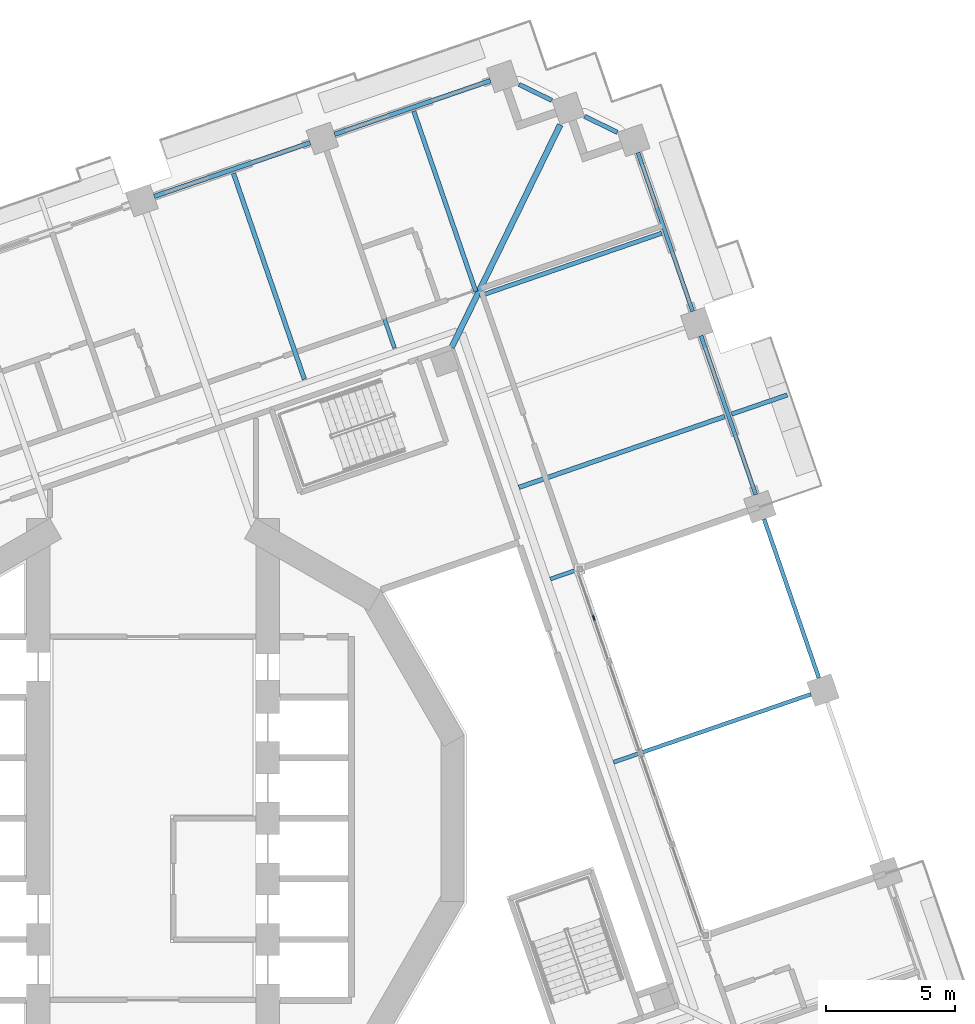
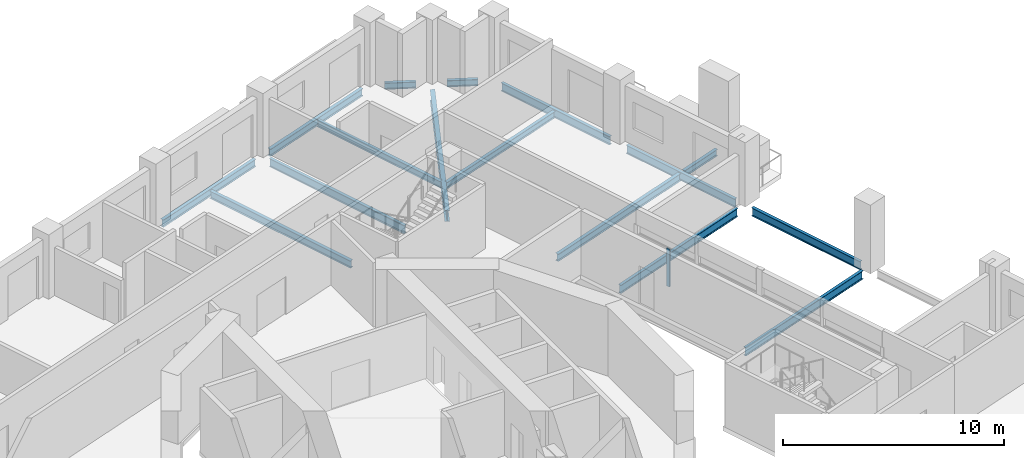
# One storey, part 5 of 21: 16 beams, 1 member, 1 element without a shape of its own.
"""IFC4 building model written with IfcOpenShell, lengths in metres."""

import ifcopenshell
import ifcopenshell.guid

model = None  # the IFC model being written
_history = None  # IfcOwnerHistory: only IFC2X3 demands one
_inside = {}  # id of a spatial element -> (the spatial element, [elements in it])
_under = {}  # id of a project, library or spatial element -> (it, [spatial elements below it])
_declared = {}  # id of a project -> (the project, [libraries it declares])
_typed = {}  # id of a type object -> (the type object, [elements of that type])
_made_of = {}  # id of a material, layer set ... -> (it, [elements and type objects made of it])


def new_model(schema):
    """Start an empty IFC model of exactly this schema.

    Asked for "IFC4X3", IfcOpenShell would pick the latest addendum, in which some entities
    have other attributes; the version numbers below select the first issue.
    IFC2X3 requires an IfcOwnerHistory on every rooted entity: one is made here for all.
    """
    global model, _history
    if schema == "IFC4X3":
        model = ifcopenshell.file(schema_version=(4, 3, 0, 0))
    else:
        model = ifcopenshell.file(schema=schema)
    _inside.clear()
    _under.clear()
    _declared.clear()
    _typed.clear()
    _made_of.clear()
    _history = None
    if model.schema == "IFC2X3":
        org = make("IfcOrganization", Name="unknown")
        user = make(
            "IfcPersonAndOrganization",
            ThePerson=make("IfcPerson", FamilyName="unknown"),
            TheOrganization=org,
        )
        app = make(
            "IfcApplication",
            ApplicationDeveloper=org,
            Version="unknown",
            ApplicationFullName="unknown",
            ApplicationIdentifier="unknown",
        )
        _history = make(
            "IfcOwnerHistory",
            OwningUser=user,
            OwningApplication=app,
            ChangeAction="ADDED",
            CreationDate=0,
        )
    return model


def make(cls, **values):
    """One entity of the class cls with the attributes given. An attribute that is None is left unset."""
    return model.create_entity(
        cls, **{name: value for name, value in values.items() if value is not None}
    )


def rooted(cls, **values):
    """An entity with a GlobalId (a new one), such as an element, a storey or a relation."""
    return make(cls, GlobalId=ifcopenshell.guid.new(), OwnerHistory=_history, **values)


def si_unit(unit_type, name, prefix=None):
    """IfcSIUnit, for example si_unit("LENGTHUNIT", "METRE", prefix="MILLI")."""
    return make("IfcSIUnit", UnitType=unit_type, Prefix=prefix, Name=name)


def assignment(units):
    """IfcUnitAssignment: the units of a project."""
    return None if units is None else make("IfcUnitAssignment", Units=units)


def point(xyz):
    """IfcCartesianPoint."""
    return None if xyz is None else make("IfcCartesianPoint", Coordinates=xyz)


def direction(xyz):
    """IfcDirection."""
    return None if xyz is None else make("IfcDirection", DirectionRatios=xyz)


def frame(location, z_axis=None, x_axis=None):
    """IfcAxis2Placement3D, a coordinate frame: its origin and axes. An axis left out is left unset."""
    return make(
        "IfcAxis2Placement3D",
        Location=point(location),
        Axis=direction(z_axis),
        RefDirection=direction(x_axis),
    )


def frame_2d(location, x_axis=None):
    """IfcAxis2Placement2D, a coordinate frame in the plane: its origin and x axis."""
    return make(
        "IfcAxis2Placement2D", Location=point(location), RefDirection=direction(x_axis)
    )


def origin():
    """The frame at (0, 0, 0) with its axes left unset."""
    return frame((0.0, 0.0, 0.0))


def origin_2d():
    """The frame at (0, 0) in the plane with its x axis left unset."""
    return frame_2d((0.0, 0.0))


def place(relative_to, where):
    """IfcLocalPlacement: puts the frame where relative to a parent placement (None: the world)."""
    return make(
        "IfcLocalPlacement", PlacementRelTo=relative_to, RelativePlacement=where
    )


def context(
    kind, dimensions, precision=None, world=None, true_north=None, identifier=None
):
    """IfcGeometricRepresentationContext, for example the 3D "Model" context."""
    return make(
        "IfcGeometricRepresentationContext",
        ContextIdentifier=identifier,
        ContextType=kind,
        CoordinateSpaceDimension=dimensions,
        Precision=precision,
        WorldCoordinateSystem=world,
        TrueNorth=true_north,
    )


def subcontext(parent, identifier, kind, view, scale=None):
    """IfcGeometricRepresentationSubContext, for example "Body" below "Model"."""
    return make(
        "IfcGeometricRepresentationSubContext",
        ContextIdentifier=identifier,
        ContextType=kind,
        ParentContext=parent,
        TargetScale=scale,
        TargetView=view,
    )


def project(units=None, contexts=None):
    """IfcProject with its units and contexts."""
    return rooted(
        "IfcProject",
        Name="project",
        RepresentationContexts=contexts,
        UnitsInContext=assignment(units),
    )


def spatial(cls, under=None, at=None, **own):
    """A site, building, storey or space (cls), placed at a placement, below another one or the project."""
    s = rooted(cls, ObjectPlacement=at, **own)
    if under is not None:
        _under.setdefault(under.id(), (under, []))[1].append(s)
    return s


def profile(cls, at=None, kind="AREA", **sizes):
    """A parametric profile (cls). Its sizes go by their IFC names, for example OverallWidth=200.0."""
    return make(cls, ProfileType=kind, Position=at, **sizes)


def rectangle(**sizes):
    """IfcRectangleProfileDef."""
    return profile("IfcRectangleProfileDef", **sizes)


def i_section(**sizes):
    """IfcIShapeProfileDef."""
    return profile("IfcIShapeProfileDef", **sizes)


def extrude(swept, where, along, depth):
    """IfcExtrudedAreaSolid: the profile swept, set in the frame where, extruded along a direction by depth."""
    return make(
        "IfcExtrudedAreaSolid",
        SweptArea=swept,
        Position=where,
        ExtrudedDirection=direction(along),
        Depth=depth,
    )


def shape(context_of_items, identifier, shape_type, items):
    """IfcShapeRepresentation: the items that make up one representation, for example the "Body"."""
    return make(
        "IfcShapeRepresentation",
        ContextOfItems=context_of_items,
        RepresentationIdentifier=identifier,
        RepresentationType=shape_type,
        Items=items,
    )


def material(Name=None, Category=None):
    """IfcMaterial."""
    return make("IfcMaterial", Name=Name, Category=Category)


def material_profile(
    of_material, cross_section, Name=None, Category=None, Priority=None
):
    """IfcMaterialProfile: a cross section and its material."""
    return make(
        "IfcMaterialProfile",
        Name=Name,
        Material=of_material,
        Profile=cross_section,
        Priority=Priority,
        Category=Category,
    )


def profile_set(profiles, Name=None, composite=None):
    """IfcMaterialProfileSet."""
    return make(
        "IfcMaterialProfileSet",
        Name=Name,
        MaterialProfiles=profiles,
        CompositeProfile=composite,
    )


def made_of(thing, what):
    """Note that an element or type object is made of a material, layer set ...; save() writes the relation."""
    if what is not None:
        _made_of.setdefault(what.id(), (what, []))[1].append(thing)
    return thing


def type_object(cls, material=None, **own):
    """A type object (cls), such as IfcWallType, which elements share."""
    return made_of(rooted(cls, **own), material)


def element(
    cls,
    number,
    at=None,
    inside=None,
    cuts=None,
    type_object=None,
    material=None,
    context=None,
    identifier="Body",
    shape_type=None,
    held_by="IfcProductDefinitionShape",
    body=None,
    shapes=None,
    **own,
):
    """One element of the class cls, such as IfcWall. Its Tag is "e" and its number.

    at: its placement. inside: the storey or other place that contains it. cuts: it is an
    opening in that element (IfcRelVoidsElement). A single representation is given by context,
    identifier, shape_type and body (its items); several are given by shapes. held_by: the class
    of the entity that holds the representations. save() writes the other relations.
    """
    e = rooted(cls, Tag="e%d" % number, ObjectPlacement=at, **own)
    if body is not None:
        shapes = [shape(context, identifier, shape_type, body)]
    if shapes is not None:
        e.Representation = make(held_by, Representations=shapes)
    if inside is not None:
        _inside.setdefault(inside.id(), (inside, []))[1].append(e)
    if cuts is not None:
        rooted(
            "IfcRelVoidsElement", RelatingBuildingElement=cuts, RelatedOpeningElement=e
        )
    if type_object is not None:
        _typed.setdefault(type_object.id(), (type_object, []))[1].append(e)
    return made_of(e, material)


def aggregate(whole, parts):
    """IfcRelAggregates: a whole, such as a stair, and the parts it consists of."""
    return rooted("IfcRelAggregates", RelatingObject=whole, RelatedObjects=parts)


def save(model, path):
    """Write the relations noted so far, then the file.

    IfcRelAggregates (storeys below a building ...), IfcRelContainedInSpatialStructure (elements
    in a storey), IfcRelDefinesByType, IfcRelAssociatesMaterial and IfcRelDeclares: one each for
    every whole, place, type object, material and project.
    """
    for whole, parts in _under.values():
        aggregate(whole, parts)
    for where, things in _inside.values():
        rooted(
            "IfcRelContainedInSpatialStructure",
            RelatedElements=things,
            RelatingStructure=where,
        )
    for kind, things in _typed.values():
        rooted("IfcRelDefinesByType", RelatedObjects=things, RelatingType=kind)
    for what, things in _made_of.values():
        rooted("IfcRelAssociatesMaterial", RelatedObjects=things, RelatingMaterial=what)
    for by, libraries in _declared.values():
        rooted("IfcRelDeclares", RelatingContext=by, RelatedDefinitions=libraries)
    model.write(path)


model = new_model("IFC4")

# Units and contexts
model_context = context("Model", 3, precision=1e-05, world=origin(), true_north=direction((0.0, 1.0)))
body_context = subcontext(model_context, "Body", "Model", "MODEL_VIEW")
ifc_project = project(units=[si_unit("LENGTHUNIT", "METRE"), si_unit("AREAUNIT", "SQUARE_METRE"), si_unit("VOLUMEUNIT", "CUBIC_METRE"), si_unit("PLANEANGLEUNIT", "RADIAN"), si_unit("MASSUNIT", "GRAM", prefix="KILO")], contexts=[model_context])

# Site, building, storey
site_placement = place(None, origin())
site = spatial("IfcSite", under=ifc_project, at=site_placement, CompositionType="ELEMENT")
building_placement = place(site_placement, origin())
building = spatial("IfcBuilding", under=site, at=building_placement, Name="Cantera Rosa Tower", CompositionType="ELEMENT")
storey_placement = place(building_placement, frame((0.0, 0.0, 119.300048828125)))
storey = spatial("IfcBuildingStorey", under=building, at=storey_placement, Name="L24", CompositionType="ELEMENT", Elevation=119.300048828125)

# Curtain wall, member
ifc_material_1 = material(Name="Aluminium frame with clear glass", Category="aluminium")
curtain_wall_type = type_object("IfcCurtainWallType", Name="CW1 TERRACE POCKET GLAZING", PredefinedType="NOTDEFINED", material=ifc_material_1)
curtain_wall_placement = place(storey_placement, origin())
curtain_wall = element("IfcCurtainWall", 1, at=curtain_wall_placement, inside=storey, type_object=curtain_wall_type, Name="CW1 CW1", PredefinedType="NOTDEFINED")
ifc_material_2 = material(Name="Anodised bronze aluminium", Category="aluminium")
ifc_material_profile_1 = material_profile(ifc_material_2, rectangle(XDim=0.06005859375, YDim=0.179931640625, at=origin_2d()), Name="CW-MULLION 60x180 POCKET")
ifc_profile_set_1 = profile_set([ifc_material_profile_1], Name="Anodised bronze aluminium")
member_type = type_object("IfcMemberType", Name="CW-MULLION 60x180 POCKET", PredefinedType="MULLION", material=ifc_profile_set_1)
member_placement = place(storey_placement, frame((17.099609375, 7.777099609375, 0.0), z_axis=(0.0, 0.0, 1.0), x_axis=(-0.945518575588, -0.32556815449, 0.0)))
member = element("IfcMember", 2, at=member_placement, type_object=member_type, Name="CW1 mullion 8", PredefinedType="MULLION", context=body_context, shape_type="SweptSolid", body=[
    extrude(rectangle(XDim=0.06005859375, YDim=0.179931640625, at=origin_2d()), origin(), (0.0, 0.0, 1.0), 2.10400390625),
])
aggregate(curtain_wall, [member])

# Beams
ifc_material_3 = material(Name="Steel ASTM A992 (Fy 345 MPa)", Category="steel")
ifc_material_profile_2 = material_profile(ifc_material_3, i_section(OverallWidth=0.154052734375, OverallDepth=0.4599609375, WebThickness=0.009033203125, FlangeThickness=0.015380859375, FilletRadius=0.01025390625, at=origin_2d()), Name="W460X68")
ifc_profile_set_2 = profile_set([ifc_material_profile_2], Name="Steel ASTM A992 (Fy 345 MPa)")
beam_type_1 = type_object("IfcBeamType", Name="STEEL BEAM W460X68", PredefinedType="BEAM", material=ifc_profile_set_2)
for number, where, z_axis, x_axis, name in (
    (3, (25.52392578125, 4.81201171875, -0.47998046875), (-0.945514467387, -0.325580085327, 0.0), (0.325580085327, -0.945514467387, 0.0), "G-Z2-02 L24"),
    (4, (23.07568359375, 11.92236328125, -0.47998046875), (-0.945514467387, -0.325580085327, 0.0), (0.325580085327, -0.945514467387, 0.0), "G-Z2-03 L24"),
    (5, (6.7333984375, 25.903564453125, -0.47998046875), (0.325580085327, -0.945514467387, 0.0), (0.945514467387, 0.325580085327, 0.0), "G-Z2-05 L24"),
):
    element("IfcBeam", number, at=place(storey_placement, frame(where, z_axis=z_axis, x_axis=x_axis)), inside=storey, type_object=beam_type_1, Name=name, PredefinedType="BEAM", context=body_context, shape_type="SweptSolid", body=[
        extrude(i_section(OverallWidth=0.154052734375, OverallDepth=0.4599609375, WebThickness=0.009033203125, FlangeThickness=0.015380859375, FilletRadius=0.01025390625, at=origin_2d()), origin(), (0.0, 0.0, 1.0), 8.10009765625),
    ])
ifc_material_4 = material(Name="Steel ASTM A992 (Fy 345 MPa)", Category="steel")
ifc_material_profile_3 = material_profile(ifc_material_4, i_section(OverallWidth=0.22802734375, OverallDepth=0.60205078125, WebThickness=0.010498046875, FlangeThickness=0.014892578125, FilletRadius=0.0126953125, at=origin_2d()), Name="W610X101")
ifc_profile_set_3 = profile_set([ifc_material_profile_3], Name="Steel ASTM A992 (Fy 345 MPa)")
beam_type_2 = type_object("IfcBeamType", Name="STEEL BEAM W610X101", PredefinedType="BEAM", material=ifc_profile_set_3)
beam_1_placement = place(storey_placement, frame((15.7998046875, 26.909912109375, -0.551025390625), z_axis=(-0.438387618569, -0.898786012288, 0.0), x_axis=(0.898786012288, -0.438387618569, 0.0)))
element("IfcBeam", 6, at=beam_1_placement, inside=storey, type_object=beam_type_2, Name="CB-Z2-01 L24", PredefinedType="BEAM", context=body_context, shape_type="SweptSolid", body=[
    extrude(i_section(OverallWidth=0.22802734375, OverallDepth=0.60205078125, WebThickness=0.010498046875, FlangeThickness=0.014892578125, FilletRadius=0.0126953125, at=origin_2d()), origin(), (0.0, 0.0, 1.0), 9.61669921875),
])
ifc_material_5 = material(Name="Steel ASTM A992 (Fy 345 MPa)", Category="steel")
ifc_material_profile_4 = material_profile(ifc_material_5, i_section(OverallWidth=0.1708984375, OverallDepth=0.35595703125, WebThickness=0.00732421875, FlangeThickness=0.01171875, FilletRadius=0.010009765625, at=origin_2d()), Name="W360X51")
ifc_profile_set_4 = profile_set([ifc_material_profile_4], Name="Steel ASTM A992 (Fy 345 MPa)")
beam_type_3 = type_object("IfcBeamType", Name="STEEL JOIST W360X51", PredefinedType="JOIST", material=ifc_profile_set_4)
beam_2_placement = place(storey_placement, frame((19.734130859375, 22.70166015625, -0.427978515625), z_axis=(-0.945518264054, -0.32556905925, 0.0), x_axis=(0.32556905925, -0.945518264054, 0.0)))
element("IfcBeam", 7, at=beam_2_placement, inside=storey, type_object=beam_type_3, Name="B-Z2-05 L24", PredefinedType="JOIST", context=body_context, shape_type="SweptSolid", body=[
    extrude(i_section(OverallWidth=0.1708984375, OverallDepth=0.35595703125, WebThickness=0.00732421875, FlangeThickness=0.01171875, FilletRadius=0.010009765625, at=origin_2d()), origin(), (0.0, 0.0, 1.0), 7.4599609375),
])
beam_3_placement = place(storey_placement, frame((10.117919921875, 27.43896484375, -0.427978515625), z_axis=(0.325565645331, -0.945519439557, 0.0), x_axis=(0.945519439557, 0.325565645331, 0.0)))
element("IfcBeam", 8, at=beam_3_placement, inside=storey, type_object=beam_type_3, Name="B-Z2-06 L24", PredefinedType="JOIST", context=body_context, shape_type="SweptSolid", body=[
    extrude(i_section(OverallWidth=0.1708984375, OverallDepth=0.35595703125, WebThickness=0.00732421875, FlangeThickness=0.01171875, FilletRadius=0.010009765625, at=origin_2d()), origin(), (0.0, 0.0, 1.0), 7.39990234375),
])
beam_4_placement = place(storey_placement, frame((22.447265625, 15.6826171875, -0.427978515625), z_axis=(0.945527339527, 0.325542701051, 0.0), x_axis=(-0.325542701051, 0.945527339527, 0.0)))
element("IfcBeam", 9, at=beam_4_placement, inside=storey, type_object=beam_type_3, Name="BS-Z2-11 L24", PredefinedType="JOIST", context=body_context, shape_type="SweptSolid", body=[
    extrude(i_section(OverallWidth=0.1708984375, OverallDepth=0.35595703125, WebThickness=0.00732421875, FlangeThickness=0.01171875, FilletRadius=0.010009765625, at=origin_2d()), origin(), (0.0, 0.0, 1.0), 2.284423828125),
])
ifc_material_6 = material(Name="Steel ASTM A992 (Fy 345 MPa)", Category="steel")
ifc_material_profile_5 = material_profile(ifc_material_6, i_section(OverallWidth=0.177978515625, OverallDepth=0.406005859375, WebThickness=0.0078125, FlangeThickness=0.0126953125, FilletRadius=0.01025390625, at=origin_2d()), Name="W410X60")
ifc_profile_set_5 = profile_set([ifc_material_profile_5], Name="Steel ASTM A992 (Fy 345 MPa)")
beam_type_4 = type_object("IfcBeamType", Name="STEEL JOIST W410X60", PredefinedType="JOIST", material=ifc_profile_set_5)
for number, where, z_axis, x_axis, name in (
    (10, (22.182373046875, 15.59130859375, -0.453125), (-0.945519653071, -0.325565025235, 0.0), (0.325565025235, -0.945519653071, 0.0), "B-Z2-04 L24"),
    (11, (3.12109375, 25.02978515625, -0.453125), (0.325565025235, -0.945519653071, 0.0), (0.945519653071, 0.325565025235, 0.0), "B-Z2-07 L24"),
):
    element("IfcBeam", number, at=place(storey_placement, frame(where, z_axis=z_axis, x_axis=x_axis)), inside=storey, type_object=beam_type_4, Name=name, PredefinedType="JOIST", context=body_context, shape_type="SweptSolid", body=[
        extrude(i_section(OverallWidth=0.177978515625, OverallDepth=0.406005859375, WebThickness=0.0078125, FlangeThickness=0.0126953125, FilletRadius=0.01025390625, at=origin_2d()), origin(), (0.0, 0.0, 1.0), 8.449951171875),
    ])
ifc_material_7 = material(Name="Steel ASTM A992 (Fy 345 MPa)", Category="steel")
ifc_material_profile_6 = material_profile(ifc_material_7, i_section(OverallWidth=0.1708984375, OverallDepth=0.35595703125, WebThickness=0.00732421875, FlangeThickness=0.01171875, FilletRadius=0.010009765625, at=origin_2d()), Name="W360X51")
ifc_profile_set_6 = profile_set([ifc_material_profile_6], Name="Steel ASTM A992 (Fy 345 MPa)")
beam_type_5 = type_object("IfcBeamType", Name="STEEL SPANDREL BEAM W360X51", PredefinedType="SPANDREL", material=ifc_profile_set_6)
for number, where, z_axis, x_axis, name in (
    (12, (18.016357421875, 26.61572265625, -0.427978515625), (-0.898803287583, 0.438352198842, 0.0), (-0.438352198842, -0.898803287583, 0.0), "EB-Z2-06 L24"),
    (13, (15.47412109375, 27.85546875, -0.427978515625), (-0.898803287583, 0.438352198842, 0.0), (-0.438352198842, -0.898803287583, 0.0), "EB-Z2-07 L24"),
):
    element("IfcBeam", number, at=place(storey_placement, frame(where, z_axis=z_axis, x_axis=x_axis)), inside=storey, type_object=beam_type_5, Name=name, PredefinedType="SPANDREL", context=body_context, shape_type="SweptSolid", body=[
        extrude(i_section(OverallWidth=0.1708984375, OverallDepth=0.35595703125, WebThickness=0.00732421875, FlangeThickness=0.01171875, FilletRadius=0.010009765625, at=origin_2d()), origin(), (0.0, 0.0, 1.0), 1.4140625),
    ])
ifc_material_8 = material(Name="Steel ASTM A992 (Fy 345 MPa)", Category="steel")
ifc_material_profile_7 = material_profile(ifc_material_8, i_section(OverallWidth=0.177978515625, OverallDepth=0.406005859375, WebThickness=0.0078125, FlangeThickness=0.0126953125, FilletRadius=0.01025390625, at=origin_2d()), Name="W410X60")
ifc_profile_set_7 = profile_set([ifc_material_profile_7], Name="Steel ASTM A992 (Fy 345 MPa)")
beam_type_6 = type_object("IfcBeamType", Name="STEEL SPANDREL BEAM W410X60", PredefinedType="SPANDREL", material=ifc_profile_set_7)
for number, where, z_axis, x_axis, name in (
    (14, (13.0947265625, 28.62255859375, -0.453125), (-0.945524496524, -0.325550958337, 0.0), (0.325550958337, -0.945524496524, 0.0), "EB-Z2-08 L24"),
    (15, (6.097900390625, 26.21337890625, -0.453125), (-0.945524496524, -0.325550958337, 0.0), (0.325550958337, -0.945524496524, 0.0), "EB-Z2-09 L24"),
):
    element("IfcBeam", number, at=place(storey_placement, frame(where, z_axis=z_axis, x_axis=x_axis)), inside=storey, type_object=beam_type_6, Name=name, PredefinedType="SPANDREL", context=body_context, shape_type="SweptSolid", body=[
        extrude(i_section(OverallWidth=0.177978515625, OverallDepth=0.406005859375, WebThickness=0.0078125, FlangeThickness=0.0126953125, FilletRadius=0.01025390625, at=origin_2d()), origin(), (0.0, 0.0, 1.0), 6.39990234375),
    ])
ifc_material_9 = material(Name="Steel ASTM A992 (Fy 345 MPa)", Category="steel")
ifc_material_profile_8 = material_profile(ifc_material_9, i_section(OverallWidth=0.154052734375, OverallDepth=0.4599609375, WebThickness=0.009033203125, FlangeThickness=0.015380859375, FilletRadius=0.01025390625, at=origin_2d()), Name="W460X68")
ifc_profile_set_8 = profile_set([ifc_material_profile_8], Name="Steel ASTM A992 (Fy 345 MPa)")
beam_type_7 = type_object("IfcBeamType", Name="STEEL SPANDREL BEAM W460X68", PredefinedType="SPANDREL", material=ifc_profile_set_8)
for number, where, z_axis, x_axis, name in (
    (16, (25.833984375, 5.447509765625, -0.47998046875), (-0.325580990241, 0.945514155787, 0.0), (-0.945514155787, -0.325580990241, 0.0), "EB-Z2-03 L24"),
    (17, (23.3857421875, 12.557861328125, -0.47998046875), (-0.325580990241, 0.945514155787, 0.0), (-0.945514155787, -0.325580990241, 0.0), "EB-Z2-04 L24"),
):
    element("IfcBeam", number, at=place(storey_placement, frame(where, z_axis=z_axis, x_axis=x_axis)), inside=storey, type_object=beam_type_7, Name=name, PredefinedType="SPANDREL", context=body_context, shape_type="SweptSolid", body=[
        extrude(i_section(OverallWidth=0.154052734375, OverallDepth=0.4599609375, WebThickness=0.009033203125, FlangeThickness=0.015380859375, FilletRadius=0.01025390625, at=origin_2d()), origin(), (0.0, 0.0, 1.0), 6.52001953125),
    ])
beam_5_placement = place(storey_placement, frame((20.9375, 19.668212890625, -0.47998046875), z_axis=(-0.325592517631, 0.945510186335, 0.0), x_axis=(-0.945510186335, -0.325592517631, 0.0)))
element("IfcBeam", 18, at=beam_5_placement, inside=storey, type_object=beam_type_7, Name="EB-Z2-05 L24", PredefinedType="SPANDREL", context=body_context, shape_type="SweptSolid", body=[
    extrude(i_section(OverallWidth=0.154052734375, OverallDepth=0.4599609375, WebThickness=0.009033203125, FlangeThickness=0.015380859375, FilletRadius=0.01025390625, at=origin_2d()), origin(), (0.0, 0.0, 1.0), 6.519775390625),
])

save(model, "model.ifc")
